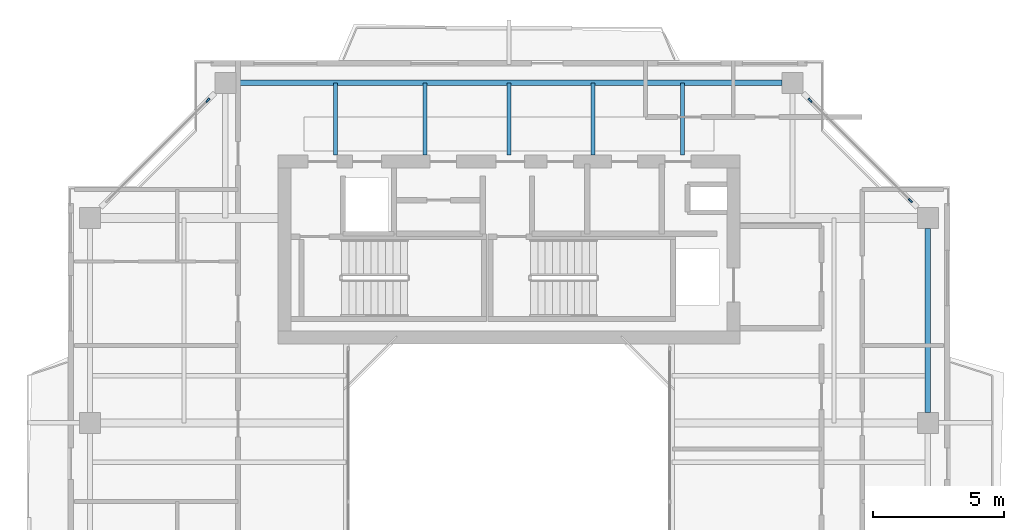
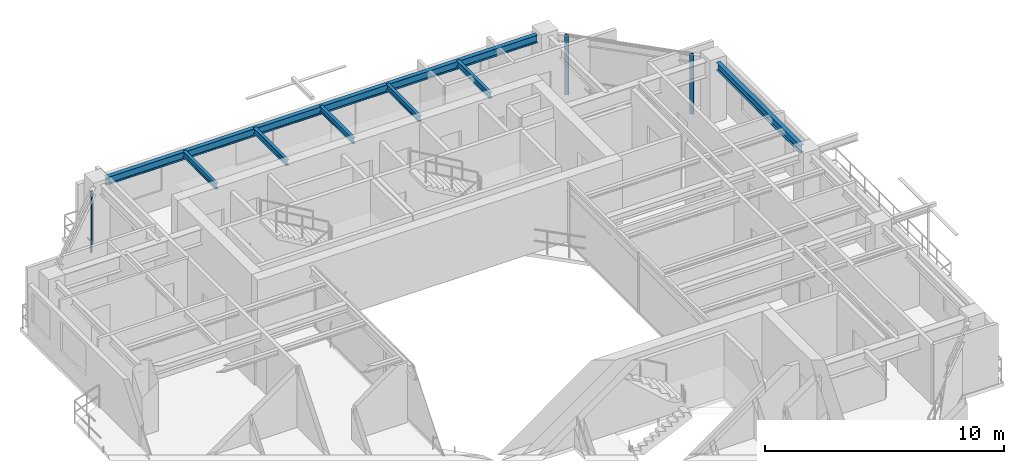
# One storey, part 8 of 16: 7 beams, 3 members, 2 elements without a shape of their own.
"""IFC4 building model written with IfcOpenShell, lengths in metres."""

from ifc_helpers import new_model, si_unit, direction, frame, origin, origin_2d, place, context, subcontext, project, spatial, rectangle, i_section, extrude, source, transform, mapped, material, layer, layer_set, material_profile, profile_set, type_object, element, aggregate, save


model = new_model("IFC4")

# Units and contexts
model_context = context("Model", 3, precision=1e-05, world=origin(), true_north=direction((0.0, 1.0)))
body_context = subcontext(model_context, "Body", "Model", "MODEL_VIEW")
ifc_project = project(units=[si_unit("LENGTHUNIT", "METRE"), si_unit("AREAUNIT", "SQUARE_METRE"), si_unit("VOLUMEUNIT", "CUBIC_METRE"), si_unit("PLANEANGLEUNIT", "RADIAN"), si_unit("MASSUNIT", "GRAM", prefix="KILO"), si_unit("THERMODYNAMICTEMPERATUREUNIT", "KELVIN"), si_unit("POWERUNIT", "WATT")], contexts=[model_context])

# Site, building, storey
site_placement = place(None, origin())
site = spatial("IfcSite", under=ifc_project, at=site_placement, CompositionType="ELEMENT")
building_placement = place(site_placement, origin())
building = spatial("IfcBuilding", under=site, at=building_placement, Name="Qiaomeng Ring Towers", CompositionType="ELEMENT")
storey_placement = place(building_placement, frame((0.0, 0.0, 210.0)))
storey = spatial("IfcBuildingStorey", under=building, at=storey_placement, Name="L61", CompositionType="ELEMENT", Elevation=210.0)

# Beams
ifc_material_1 = material(Name="Steel Q355B", Category="steel")
ifc_material_profile_1 = material_profile(ifc_material_1, i_section(OverallWidth=0.198974609375, OverallDepth=0.39599609375, WebThickness=0.007080078125, FlangeThickness=0.010986328125, FilletRadius=0.01611328125, at=origin_2d()), Name="HN 396x199x7x11")
ifc_profile_set_1 = profile_set([ifc_material_profile_1], Name="Steel Q355B")
beam_type_1 = type_object("IfcBeamType", Name="STR-BM-HN396", PredefinedType="SPANDREL", material=ifc_profile_set_1)
shared_shape_1 = source(origin(), body_context, "Body", "SweptSolid", [
    extrude(i_section(OverallWidth=0.198974609375, OverallDepth=0.39599609375, WebThickness=0.007080078125, FlangeThickness=0.010986328125, FilletRadius=0.01611328125, at=origin_2d()), origin(), (0.0, 0.0, 1.0), 20.8017578125),
])
beam_1_placement = place(storey_placement, frame((29.40087890625, 38.949951171875, 2.8720703125), z_axis=(-1.0, 0.0, 0.0), x_axis=(0.0, -1.0, 0.0)))
element("IfcBeam", 1, at=beam_1_placement, inside=storey, type_object=beam_type_1, Name="L61 beam STR-SP-L61-T1-N2-N1", PredefinedType="SPANDREL", context=body_context, shape_type="MappedRepresentation", body=[
    mapped(shared_shape_1, transform((0.0, 0.0, 0.0), x_axis=(1.0, 0.0, 0.0), y_axis=(0.0, 1.0, 0.0), z_axis=(0.0, 0.0, 1.0), scale=1.0)),
])
shared_shape_2 = source(origin(), body_context, "Body", "SweptSolid", [
    extrude(i_section(OverallWidth=0.198974609375, OverallDepth=0.39599609375, WebThickness=0.007080078125, FlangeThickness=0.010986328125, FilletRadius=0.01611328125, at=origin_2d()), origin(), (0.0, 0.0, 1.0), 7.001953125),
])
beam_2_placement = place(storey_placement, frame((34.949951171875, 26.39892578125, 2.8720703125), z_axis=(0.0, 1.0, 0.0), x_axis=(-1.0, 0.0, 0.0)))
element("IfcBeam", 2, at=beam_2_placement, inside=storey, type_object=beam_type_1, Name="L61 beam STR-SP-L61-T1-E3-E4", PredefinedType="SPANDREL", context=body_context, shape_type="MappedRepresentation", body=[
    mapped(shared_shape_2, transform((0.0, 0.0, 0.0), x_axis=(1.0, 0.0, 0.0), y_axis=(0.0, 1.0, 0.0), z_axis=(0.0, 0.0, 1.0), scale=1.0)),
])
ifc_material_profile_2 = material_profile(ifc_material_1, i_section(OverallWidth=0.14990234375, OverallDepth=0.300048828125, WebThickness=0.006591796875, FlangeThickness=0.009033203125, FilletRadius=0.012939453125, at=origin_2d()), Name="HN 300x150x6.5x9")
ifc_profile_set_2 = profile_set([ifc_material_profile_2], Name="Steel Q355B")
beam_type_2 = type_object("IfcBeamType", Name="STR-BM-HN300", PredefinedType="JOIST", material=ifc_profile_set_2)
shared_shape_3 = source(origin(), body_context, "Body", "SweptSolid", [
    extrude(i_section(OverallWidth=0.14990234375, OverallDepth=0.300048828125, WebThickness=0.006591796875, FlangeThickness=0.009033203125, FilletRadius=0.012939453125, at=origin_2d()), origin(), (0.0, 0.0, 1.0), 2.75),
])
for number, where, z_axis, x_axis, name in (
    (3, (12.39990234375, 36.199951171875, 2.919921875), (0.0, 1.0, 0.0), (-1.0, 0.0, 0.0), "L61 beam STR-JST-L61-T1N-1"),
    (4, (15.800048828125, 36.199951171875, 2.919921875), (0.0, 1.0, 0.0), (-1.0, 0.0, 0.0), "L61 beam STR-JST-L61-T1N-2"),
    (5, (19.0, 36.199951171875, 2.919921875), (0.0, 1.0, 0.0), (-1.0, 0.0, 0.0), "L61 beam STR-JST-L61-T1N-3"),
    (6, (22.199951171875, 36.199951171875, 2.919921875), (0.0, 1.0, 0.0), (-1.0, 0.0, 0.0), "L61 beam STR-JST-L61-T1N-4"),
    (7, (25.60009765625, 36.199951171875, 2.919921875), (0.0, 1.0, 0.0), (-1.0, 0.0, 0.0), "L61 beam STR-JST-L61-T1N-5"),
):
    element("IfcBeam", number, at=place(storey_placement, frame(where, z_axis=z_axis, x_axis=x_axis)), inside=storey, type_object=beam_type_2, Name=name, PredefinedType="JOIST", context=body_context, shape_type="MappedRepresentation", body=[
        mapped(shared_shape_3, transform((0.0, 0.0, 0.0), x_axis=(1.0, 0.0, 0.0), y_axis=(0.0, 1.0, 0.0), z_axis=(0.0, 0.0, 1.0), scale=1.0)),
    ])

# Curtain wall, members
ifc_material_2 = material(Name="Fluorocarbon dark-grey aluminium", Category="aluminium")
ifc_layer = layer(ifc_material_2, 0.14990234375, Name="Fluorocarbon dark-grey aluminium")
ifc_layer_set = layer_set([ifc_layer], Name="Fluorocarbon dark-grey aluminium")
curtain_wall_type = type_object("IfcCurtainWallType", Name="ARC-CW-3", PredefinedType="NOTDEFINED", material=ifc_layer_set)
curtain_wall_1_placement = place(storey_placement, origin())
curtain_wall_1 = element("IfcCurtainWall", 8, at=curtain_wall_1_placement, inside=storey, type_object=curtain_wall_type, Name="L61 Curtain Wall CW3", PredefinedType="NOTDEFINED")
ifc_material_profile_3 = material_profile(ifc_material_2, rectangle(XDim=0.070068359375, YDim=0.179931640625, at=origin_2d()), Name="ALU MULL 70x180")
ifc_profile_set_3 = profile_set([ifc_material_profile_3], Name="Fluorocarbon dark-grey aluminium")
member_type = type_object("IfcMemberType", Name="ARC-CWM-160", PredefinedType="MULLION", material=ifc_profile_set_3)
shared_shape_4 = source(origin(), body_context, "Body", "SweptSolid", [
    extrude(rectangle(XDim=0.070068359375, YDim=0.179931640625, at=origin_2d()), origin(), (0.0, 0.0, 1.0), 3.070068359375),
])
member_1_placement = place(storey_placement, frame((34.28515625, 34.46484375, 0.0), z_axis=(0.0, 0.0, 1.0), x_axis=(-0.707106781187, -0.707106781187, 0.0)))
member_1 = element("IfcMember", 9, at=member_1_placement, type_object=member_type, Name="CW3 mullion 1", PredefinedType="MULLION", context=body_context, shape_type="MappedRepresentation", body=[
    mapped(shared_shape_4, transform((0.0, 0.0, 0.0), x_axis=(1.0, 0.0, 0.0), y_axis=(0.0, 1.0, 0.0), z_axis=(0.0, 0.0, 1.0), scale=1.0)),
])
member_2_placement = place(storey_placement, frame((30.46484375, 38.28515625, 0.0), z_axis=(0.0, 0.0, 1.0), x_axis=(-0.707106781187, -0.707106781187, 0.0)))
member_2 = element("IfcMember", 10, at=member_2_placement, type_object=member_type, Name="CW3 mullion 2", PredefinedType="MULLION", context=body_context, shape_type="MappedRepresentation", body=[
    mapped(shared_shape_4, transform((0.0, 0.0, 0.0), x_axis=(1.0, 0.0, 0.0), y_axis=(0.0, 1.0, 0.0), z_axis=(0.0, 0.0, 1.0), scale=1.0)),
])
aggregate(curtain_wall_1, [member_1, member_2])

# Curtain wall, member
curtain_wall_2_placement = place(storey_placement, origin())
curtain_wall_2 = element("IfcCurtainWall", 11, at=curtain_wall_2_placement, inside=storey, type_object=curtain_wall_type, Name="L61 Curtain Wall CW3", PredefinedType="NOTDEFINED")
member_3_placement = place(storey_placement, frame((7.53515625, 38.28515625, 0.0), z_axis=(0.0, 0.0, 1.0), x_axis=(0.707106781187, -0.707106781187, 0.0)))
member_3 = element("IfcMember", 12, at=member_3_placement, type_object=member_type, Name="CW3 mullion 1", PredefinedType="MULLION", context=body_context, shape_type="MappedRepresentation", body=[
    mapped(shared_shape_4, transform((0.0, 0.0, 0.0), x_axis=(1.0, 0.0, 0.0), y_axis=(0.0, 1.0, 0.0), z_axis=(0.0, 0.0, 1.0), scale=1.0)),
])
aggregate(curtain_wall_2, [member_3])

save(model, "model.ifc")
